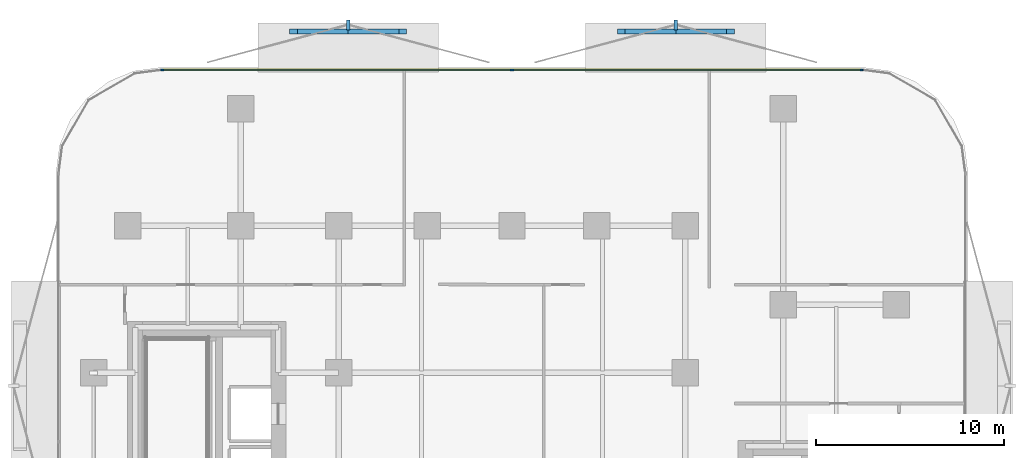
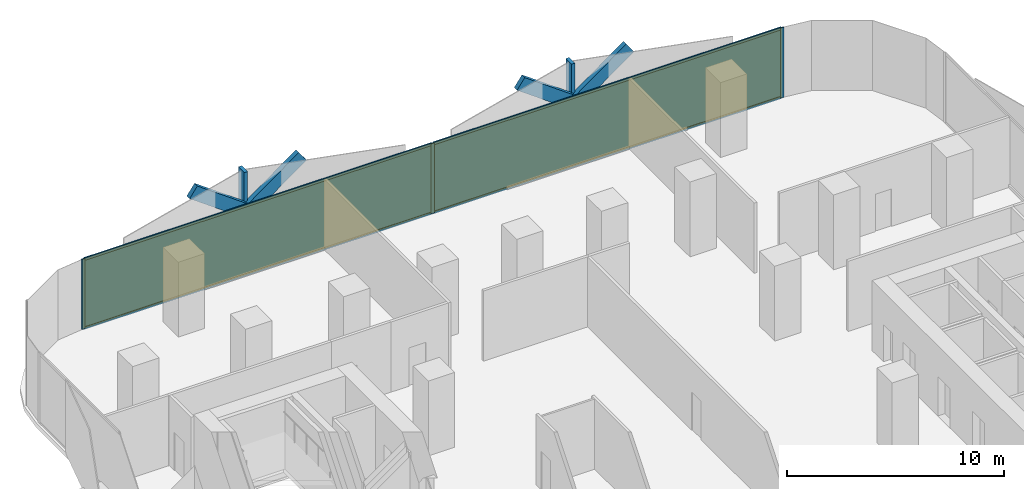
# One storey, part 10 of 15: 13 members, 2 plates, 1 curtain wall.
"""IFC4 building model written with IfcOpenShell, lengths in metres."""

from ifc_helpers import new_model, si_unit, direction, frame, frame_2d, origin, origin_2d, place, context, subcontext, project, spatial, rectangle, extrude, material, layer, layer_set, material_profile, profile_set, type_object, element, aggregate, save


model = new_model("IFC4")

# Units and contexts
model_context = context("Model", 3, precision=1e-05, world=origin(), true_north=direction((0.0, 1.0)))
body_context = subcontext(model_context, "Body", "Model", "MODEL_VIEW")
ifc_project = project(units=[si_unit("LENGTHUNIT", "METRE"), si_unit("AREAUNIT", "SQUARE_METRE"), si_unit("VOLUMEUNIT", "CUBIC_METRE"), si_unit("PLANEANGLEUNIT", "RADIAN"), si_unit("MASSUNIT", "GRAM", prefix="KILO")], contexts=[model_context])

# Member
ifc_material_1 = material(Name="Anodised Bronze Aluminium 6063-T6", Category="aluminium")
ifc_material_profile_1 = material_profile(ifc_material_1, rectangle(XDim=0.260009765625, YDim=0.699951171875, at=origin_2d()))
ifc_profile_set_1 = profile_set([ifc_material_profile_1], Name="Anodised Bronze Aluminium 6063-T6")
member_type_1 = type_object("IfcMemberType", Name="Bronze Diamond Solar-Screen Lattice Rib BDL-700", PredefinedType="MULLION", material=ifc_profile_set_1)
site_placement = place(None, origin())
building_placement = place(site_placement, origin())
storey_placement = place(building_placement, frame((0.0, 0.0, 68.0)))
member_1_placement = place(storey_placement, frame((-11.593994140625, 28.89990234375, -0.1298828125), z_axis=(0.809806906486, 0.0, 0.58669649241), x_axis=(0.0, 1.0, 0.0)))
member_1 = element("IfcMember", 1, at=member_1_placement, type_object=member_type_1, Name="L16 Bronze Diamond Solar Screen Lattice Rib 85A", PredefinedType="MULLION", context=body_context, shape_type="SweptSolid", body=[
    extrude(rectangle(XDim=0.260009765625, YDim=0.699951171875, at=origin_2d()), origin(), (0.0, 0.0, 1.0), 7.15869140625),
])

member_2_placement = place(storey_placement, frame((-5.796875, 28.89990234375, -0.1298828125), z_axis=(-0.809806906486, 0.0, 0.58669649241), x_axis=(0.0, -1.0, 0.0)))
member_2 = element("IfcMember", 2, at=member_2_placement, type_object=member_type_1, Name="L16 Bronze Diamond Solar Screen Lattice Rib 85B", PredefinedType="MULLION", context=body_context, shape_type="SweptSolid", body=[
    extrude(rectangle(XDim=0.260009765625, YDim=0.699951171875, at=origin_2d()), origin(), (0.0, 0.0, 1.0), 7.15869140625),
])

member_3_placement = place(storey_placement, frame((5.796875, 28.89990234375, -0.1298828125), z_axis=(0.809806906486, 0.0, 0.58669649241), x_axis=(0.0, 1.0, 0.0)))
member_3 = element("IfcMember", 3, at=member_3_placement, type_object=member_type_1, Name="L16 Bronze Diamond Solar Screen Lattice Rib 86A", PredefinedType="MULLION", context=body_context, shape_type="SweptSolid", body=[
    extrude(rectangle(XDim=0.260009765625, YDim=0.699951171875, at=origin_2d()), origin(), (0.0, 0.0, 1.0), 7.15869140625),
])

member_4_placement = place(storey_placement, frame((11.593994140625, 28.89990234375, -0.1298828125), z_axis=(-0.809806906486, 0.0, 0.58669649241), x_axis=(0.0, -1.0, 0.0)))
member_4 = element("IfcMember", 4, at=member_4_placement, type_object=member_type_1, Name="L16 Bronze Diamond Solar Screen Lattice Rib 86B", PredefinedType="MULLION", context=body_context, shape_type="SweptSolid", body=[
    extrude(rectangle(XDim=0.260009765625, YDim=0.699951171875, at=origin_2d()), origin(), (0.0, 0.0, 1.0), 7.15869140625),
])

ifc_material_2 = material(Name="Anodised Bronze Aluminium 6063-T6", Category="aluminium")
ifc_material_profile_2 = material_profile(ifc_material_2, rectangle(XDim=0.179931640625, YDim=0.5400390625, at=origin_2d()))
ifc_profile_set_2 = profile_set([ifc_material_profile_2], Name="Anodised Bronze Aluminium 6063-T6")
member_type_2 = type_object("IfcMemberType", Name="Bronze Solar-Screen Vertical Fold Fin BSF-540", PredefinedType="MULLION", material=ifc_profile_set_2)
member_5_placement = place(storey_placement, frame((-8.6953125, 29.239990234375, -0.1298828125), z_axis=(0.0, 0.0, 1.0), x_axis=(1.0, 0.0, 0.0)))
member_5 = element("IfcMember", 5, at=member_5_placement, type_object=member_type_2, Name="L16 Bronze Solar Screen Vertical Fin 85", PredefinedType="MULLION", context=body_context, shape_type="SweptSolid", body=[
    extrude(rectangle(XDim=0.179931640625, YDim=0.5400390625, at=origin_2d()), origin(), (0.0, 0.0, 1.0), 4.199951171875),
])

member_6_placement = place(storey_placement, frame((8.6953125, 29.239990234375, -0.1298828125), z_axis=(0.0, 0.0, 1.0), x_axis=(1.0, 0.0, 0.0)))
member_6 = element("IfcMember", 6, at=member_6_placement, type_object=member_type_2, Name="L16 Bronze Solar Screen Vertical Fin 86", PredefinedType="MULLION", context=body_context, shape_type="SweptSolid", body=[
    extrude(rectangle(XDim=0.179931640625, YDim=0.5400390625, at=origin_2d()), origin(), (0.0, 0.0, 1.0), 4.199951171875),
])

ifc_material_3 = material(Name="Anodised Bronze Aluminium 6063-T6", Category="aluminium")
ifc_material_profile_3 = material_profile(ifc_material_3, rectangle(XDim=0.06494140625, YDim=0.179931640625, at=origin_2d()))
ifc_profile_set_3 = profile_set([ifc_material_profile_3], Name="Anodised Bronze Aluminium 6063-T6")
member_type_3 = type_object("IfcMemberType", Name="CW-Z1 Mullion 65x180", PredefinedType="MULLION", material=ifc_profile_set_3)
member_7_placement = place(storey_placement, frame((-18.558349609375, 26.860107421875, 0.0), z_axis=(0.0, 0.0, 1.0), x_axis=(0.0, 1.0, 0.0)))
member_7 = element("IfcMember", 7, at=member_7_placement, type_object=member_type_3, Name="CW-Z1 mullion 1", PredefinedType="MULLION", context=body_context, shape_type="SweptSolid", body=[
    extrude(rectangle(XDim=0.06494140625, YDim=0.179931640625, at=origin_2d()), origin(), (0.0, 0.0, 1.0), 3.93994140625),
])

member_8_placement = place(storey_placement, frame((0.0, 26.860107421875, 0.0), z_axis=(0.0, 0.0, 1.0), x_axis=(0.0, 1.0, 0.0)))
member_8 = element("IfcMember", 8, at=member_8_placement, type_object=member_type_3, Name="CW-Z1 mullion 2", PredefinedType="MULLION", context=body_context, shape_type="SweptSolid", body=[
    extrude(rectangle(XDim=0.06494140625, YDim=0.179931640625, at=origin_2d()), origin(), (0.0, 0.0, 1.0), 3.93994140625),
])

member_9_placement = place(storey_placement, frame((18.558349609375, 26.860107421875, 0.0), z_axis=(0.0, 0.0, 1.0), x_axis=(0.0, 1.0, 0.0)))
member_9 = element("IfcMember", 9, at=member_9_placement, type_object=member_type_3, Name="CW-Z1 mullion 3", PredefinedType="MULLION", context=body_context, shape_type="SweptSolid", body=[
    extrude(rectangle(XDim=0.06494140625, YDim=0.179931640625, at=origin_2d()), origin(), (0.0, 0.0, 1.0), 3.93994140625),
])

ifc_material_4 = material(Name="Anodised Bronze Aluminium 6063-T6", Category="aluminium")
ifc_material_profile_4 = material_profile(ifc_material_4, rectangle(XDim=0.06494140625, YDim=0.139892578125, at=origin_2d()))
ifc_profile_set_4 = profile_set([ifc_material_profile_4], Name="Anodised Bronze Aluminium 6063-T6")
member_type_4 = type_object("IfcMemberType", Name="CW-Z1 Transom 65x140", PredefinedType="USERDEFINED", material=ifc_profile_set_4)
member_10_placement = place(storey_placement, frame((-18.52587890625, 26.860107421875, 0.032470703125), z_axis=(1.0, 0.0, 0.0), x_axis=(0.0, 1.0, 0.0)))
member_10 = element("IfcMember", 10, at=member_10_placement, type_object=member_type_4, Name="CW-Z1 transom 1.1", ObjectType="TRANSOM", PredefinedType="USERDEFINED", context=body_context, shape_type="SweptSolid", body=[
    extrude(rectangle(XDim=0.06494140625, YDim=0.139892578125, at=origin_2d()), origin(), (0.0, 0.0, 1.0), 18.493408203125),
])

member_11_placement = place(storey_placement, frame((-18.52587890625, 26.860107421875, 3.907470703125), z_axis=(1.0, 0.0, 0.0), x_axis=(0.0, 1.0, 0.0)))
member_11 = element("IfcMember", 11, at=member_11_placement, type_object=member_type_4, Name="CW-Z1 transom 1.2", ObjectType="TRANSOM", PredefinedType="USERDEFINED", context=body_context, shape_type="SweptSolid", body=[
    extrude(rectangle(XDim=0.06494140625, YDim=0.139892578125, at=origin_2d()), origin(), (0.0, 0.0, 1.0), 18.493408203125),
])

member_12_placement = place(storey_placement, frame((0.032470703125, 26.860107421875, 0.032470703125), z_axis=(1.0, 0.0, 0.0), x_axis=(0.0, 1.0, 0.0)))
member_12 = element("IfcMember", 12, at=member_12_placement, type_object=member_type_4, Name="CW-Z1 transom 2.1", ObjectType="TRANSOM", PredefinedType="USERDEFINED", context=body_context, shape_type="SweptSolid", body=[
    extrude(rectangle(XDim=0.06494140625, YDim=0.139892578125, at=origin_2d()), origin(), (0.0, 0.0, 1.0), 18.493408203125),
])

member_13_placement = place(storey_placement, frame((0.032470703125, 26.860107421875, 3.907470703125), z_axis=(1.0, 0.0, 0.0), x_axis=(0.0, 1.0, 0.0)))
member_13 = element("IfcMember", 13, at=member_13_placement, type_object=member_type_4, Name="CW-Z1 transom 2.2", ObjectType="TRANSOM", PredefinedType="USERDEFINED", context=body_context, shape_type="SweptSolid", body=[
    extrude(rectangle(XDim=0.06494140625, YDim=0.139892578125, at=origin_2d()), origin(), (0.0, 0.0, 1.0), 18.493408203125),
])

# Plate
ifc_material_5 = material(Name="Low-E Solar Control Laminated Glass", Category="glass")
ifc_layer_1 = layer(ifc_material_5, 0.028076171875, Name="Low-E Solar Control Laminated Glass")
ifc_layer_set_1 = layer_set([ifc_layer_1], Name="Low-E Solar Control Laminated Glass")
plate_type = type_object("IfcPlateType", Name="CW-Z1 Low-E Double Glazed Panel 28mm", PredefinedType="CURTAIN_PANEL", material=ifc_layer_set_1)
plate_1_placement = place(storey_placement, frame((-9.279052734375, 26.860107421875, 0.06494140625), z_axis=(0.0, 0.0, 1.0), x_axis=(1.0, 0.0, 0.0)))
plate_1 = element("IfcPlate", 14, at=plate_1_placement, type_object=plate_type, Name="CW-Z1 panel 1.1", PredefinedType="CURTAIN_PANEL", context=body_context, shape_type="SweptSolid", body=[
    extrude(rectangle(XDim=18.493408203125, YDim=0.028076171875, at=origin_2d()), origin(), (0.0, 0.0, 1.0), 3.81005859375),
])

plate_2_placement = place(storey_placement, frame((9.279052734375, 26.860107421875, 0.06494140625), z_axis=(0.0, 0.0, 1.0), x_axis=(1.0, 0.0, 0.0)))
plate_2 = element("IfcPlate", 15, at=plate_2_placement, type_object=plate_type, Name="CW-Z1 panel 2.1", PredefinedType="CURTAIN_PANEL", context=body_context, shape_type="SweptSolid", body=[
    extrude(rectangle(XDim=18.493408203125, YDim=0.028076171875, at=origin_2d()), origin(), (0.0, 0.0, 1.0), 3.81005859375),
])

# Site, building, storey
site = spatial("IfcSite", under=ifc_project, at=site_placement, CompositionType="ELEMENT")
building = spatial("IfcBuilding", under=site, at=building_placement, Name="Khairoan Windgate Tower", CompositionType="ELEMENT")
storey = spatial("IfcBuildingStorey", under=building, at=storey_placement, Name="L16", CompositionType="ELEMENT", Elevation=68.0)

# Curtain wall
ifc_material_6 = material(Name="Anodised Bronze Aluminium 6063-T6", Category="aluminium")
ifc_layer_2 = layer(ifc_material_6, 0.179931640625, Name="Anodised Bronze Aluminium 6063-T6")
ifc_layer_set_2 = layer_set([ifc_layer_2], Name="Anodised Bronze Aluminium 6063-T6")
curtain_wall_type = type_object("IfcCurtainWallType", Name="Low-Rise Office Unitised Curtain Wall CW-Z1", PredefinedType="NOTDEFINED", material=ifc_layer_set_2)
curtain_wall_placement = place(storey_placement, frame((-18.5908203125, 26.860107421875, 0.0), z_axis=(0.0, 0.0, 1.0), x_axis=(1.0, 0.0, 0.0)))
curtain_wall = element("IfcCurtainWall", 16, at=curtain_wall_placement, inside=storey, type_object=curtain_wall_type, Name="L16 Unitised Curtain Wall 11", PredefinedType="NOTDEFINED", context=body_context, shape_type="SweptSolid", body=[
    extrude(rectangle(XDim=37.181640625, YDim=0.010009765625, at=frame_2d((18.5908203125, 0.0))), origin(), (0.0, 0.0, 1.0), 3.93994140625),
])

aggregate(curtain_wall, [member_7, member_8, member_9, member_10, member_11, plate_1, member_12, member_13, plate_2, member_1, member_2, member_5, member_3, member_4, member_6])

save(model, "model.ifc")
